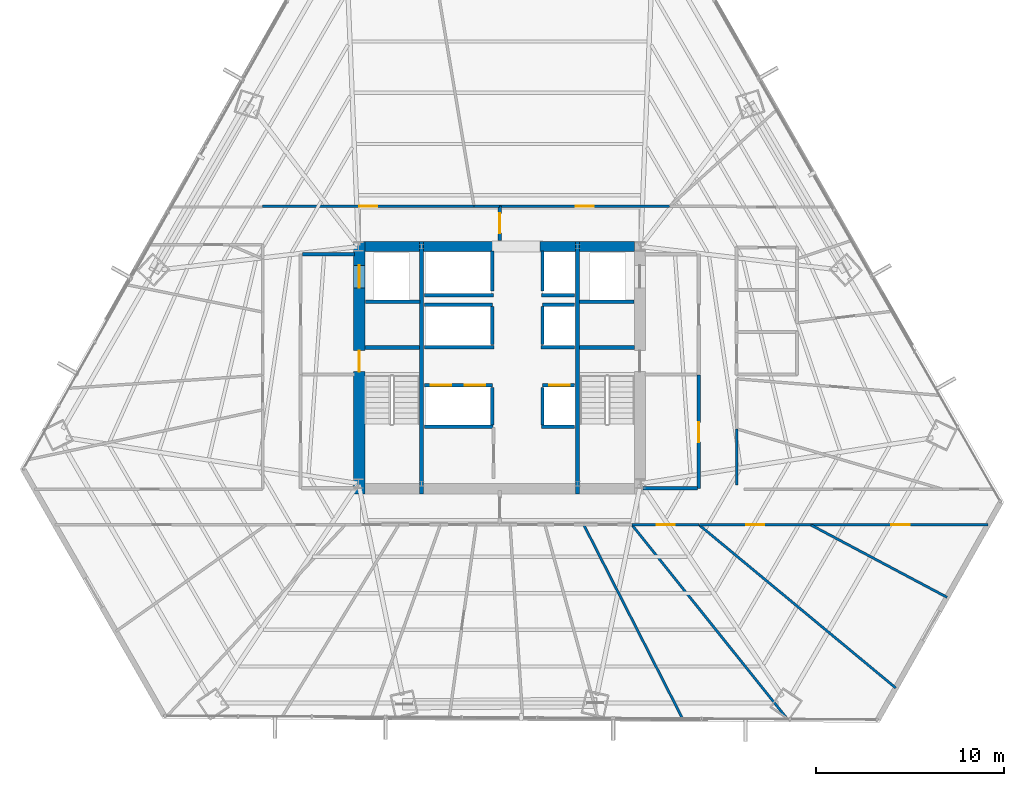
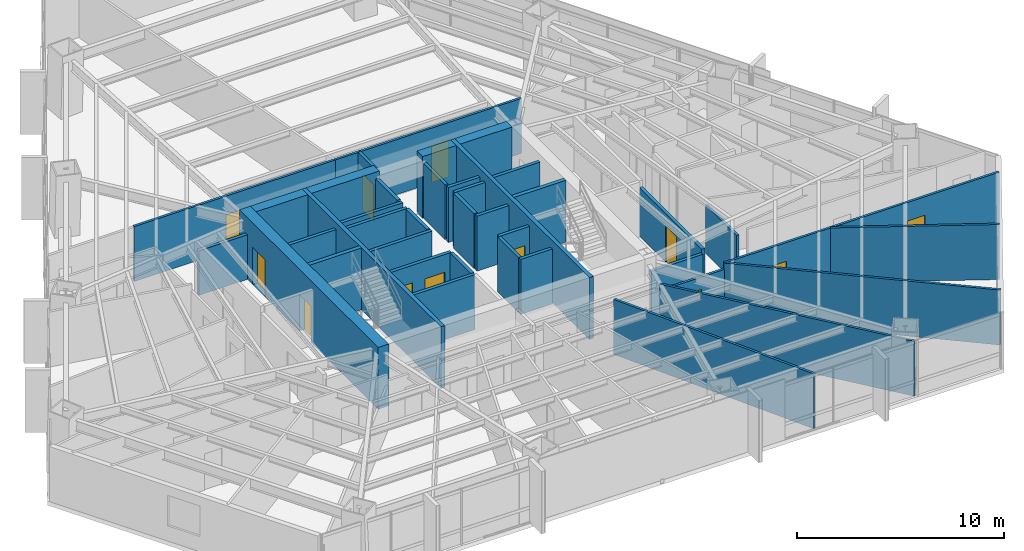
# One storey, part 34 of 39: 42 walls, 12 doors, 12 openings.
"""IFC4 building model written with IfcOpenShell, lengths in metres."""

from ifc_helpers import new_model, si_unit, direction, frame, frame_2d, origin, place, context, subcontext, project, spatial, rectangle, extrude, material, layer, layer_set, type_object, element, fill, save


model = new_model("IFC4")

# Units and contexts
model_context = context("Model", 3, precision=1e-05, world=origin(), true_north=direction((0.0, 1.0)))
body_context = subcontext(model_context, "Body", "Model", "MODEL_VIEW")
ifc_project = project(units=[si_unit("LENGTHUNIT", "METRE"), si_unit("AREAUNIT", "SQUARE_METRE"), si_unit("VOLUMEUNIT", "CUBIC_METRE"), si_unit("PLANEANGLEUNIT", "RADIAN"), si_unit("MASSUNIT", "GRAM", prefix="KILO")], contexts=[model_context])

# Site, building, storey
site_placement = place(None, origin())
site = spatial("IfcSite", under=ifc_project, at=site_placement, CompositionType="ELEMENT")
building_placement = place(site_placement, origin())
building = spatial("IfcBuilding", under=site, at=building_placement, Name="Caelisora Broadcast Tower", CompositionType="ELEMENT")
storey_placement = place(building_placement, frame((0.0, 0.0, 71.39990234375)))
storey = spatial("IfcBuildingStorey", under=building, at=storey_placement, Name="L18", CompositionType="ELEMENT", Elevation=71.39990234375)

# Wall, openings, doors
ifc_material_1 = material(Name="Concrete 65 MPa (AS 3600 S65)", Category="concrete")
ifc_layer_1 = layer(ifc_material_1, 0.60009765625, Name="Concrete 65 MPa (AS 3600 S65)")
ifc_layer_set_1 = layer_set([ifc_layer_1], Name="Concrete 65 MPa (AS 3600 S65)")
wall_type_1 = type_object("IfcWallType", Name="CW1", PredefinedType="SHEAR", material=ifc_layer_set_1)
wall_1_placement = place(storey_placement, frame((30.5400390625, 16.85009765625, 0.0), z_axis=(0.0, 0.0, 1.0), x_axis=(0.0, 1.0, 0.0)))
wall_1 = element("IfcWall", 1, at=wall_1_placement, inside=storey, type_object=wall_type_1, Name="L18 core shear wall CW1", PredefinedType="SHEAR", context=body_context, shape_type="SweptSolid", body=[
    extrude(rectangle(XDim=13.4248046875, YDim=0.60009765625, at=frame_2d((6.71240234375, 0.0))), origin(), (0.0, 0.0, 1.0), 3.650146484375),
])
opening_1_placement = place(wall_1_placement, frame((6.5, 0.0, 0.0)))
opening_1 = element("IfcOpeningElement", 2, at=opening_1_placement, cuts=wall_1, Name="Opening FD04", PredefinedType="OPENING", context=body_context, shape_type="SweptSolid", body=[
    extrude(rectangle(XDim=1.1201171875, YDim=2.14990234375, at=frame_2d((0.56005859375, 1.074951171875))), frame((0.0, 0.31201171875, 0.0), z_axis=(0.0, -1.0, 0.0), x_axis=(1.0, 0.0, 0.0)), (0.0, 0.0, 1.0), 0.6240234375),
])
opening_2_placement = place(wall_1_placement, frame((10.949951171875, 0.0, 0.0)))
opening_2 = element("IfcOpeningElement", 3, at=opening_2_placement, cuts=wall_1, Name="Opening LD04", PredefinedType="OPENING", context=body_context, shape_type="SweptSolid", body=[
    extrude(rectangle(XDim=1.199951171875, YDim=2.199951171875, at=frame_2d((0.60009765625, 1.10009765625))), frame((0.0, 0.31201171875, 0.0), z_axis=(0.0, -1.0, 0.0), x_axis=(1.0, 0.0, 0.0)), (0.0, 0.0, 1.0), 0.6240234375),
])
ifc_material_2 = material(Name="Pressurised Fire-Isolated Stair Door", Category="steel")
door_type_1 = type_object("IfcDoorType", Name="FD04", OperationType="NOTDEFINED", PredefinedType="DOOR", material=ifc_material_2)
door_1_placement = place(opening_1_placement, origin())
door_1 = element("IfcDoor", 4, at=door_1_placement, inside=storey, type_object=door_type_1, Name="L18 door FD04 (L18-DR-ST1)", OperationType="SINGLE_SWING_LEFT", OverallHeight=2.14990234375, OverallWidth=1.1201171875, PredefinedType="DOOR", context=body_context, shape_type="SweptSolid", body=[
    extrude(rectangle(XDim=1.1201171875, YDim=2.14990234375, at=frame_2d((0.56005859375, 1.074951171875))), frame((0.0, 0.02490234375, 0.0), z_axis=(0.0, -1.0, 0.0), x_axis=(1.0, 0.0, 0.0)), (0.0, 0.0, 1.0), 0.050048828125),
])
fill(opening_1, door_1)
ifc_material_3 = material(Name="Emergency Firefighting Lift Sliding Landing Door", Category="steel")
door_type_2 = type_object("IfcDoorType", Name="LD04", OperationType="NOTDEFINED", PredefinedType="DOOR", material=ifc_material_3)
door_2_placement = place(opening_2_placement, origin())
door_2 = element("IfcDoor", 5, at=door_2_placement, inside=storey, type_object=door_type_2, Name="L18 door LD04 (L18-LD-FFL1)", OperationType="SLIDING_TO_LEFT", OverallHeight=2.199951171875, OverallWidth=1.199951171875, PredefinedType="DOOR", context=body_context, shape_type="SweptSolid", body=[
    extrude(rectangle(XDim=1.199951171875, YDim=2.199951171875, at=frame_2d((0.60009765625, 1.10009765625))), frame((0.0, 0.02490234375, 0.0), z_axis=(0.0, -1.0, 0.0), x_axis=(1.0, 0.0, 0.0)), (0.0, 0.0, 1.0), 0.050048828125),
])
fill(opening_2, door_2)

# Walls
ifc_layer_2 = layer(ifc_material_1, 0.550048828125, Name="Concrete 65 MPa (AS 3600 S65)")
ifc_layer_set_2 = layer_set([ifc_layer_2], Name="Concrete 65 MPa (AS 3600 S65)")
wall_type_2 = type_object("IfcWallType", Name="CW4", PredefinedType="SHEAR", material=ifc_layer_set_2)
wall_2_placement = place(storey_placement, frame((30.840087890625, 30.0, 0.0), z_axis=(0.0, 0.0, 1.0), x_axis=(1.0, 0.0, 0.0)))
element("IfcWall", 6, at=wall_2_placement, inside=storey, type_object=wall_type_2, Name="L18 core shear wall CW4", PredefinedType="SHEAR", context=body_context, shape_type="SweptSolid", body=[
    extrude(rectangle(XDim=2.89990234375, YDim=0.550048828125, at=frame_2d((1.449951171875, 0.0))), origin(), (0.0, 0.0, 1.0), 3.650146484375),
])
wall_3_placement = place(storey_placement, frame((33.9599609375, 30.0, 0.0), z_axis=(0.0, 0.0, 1.0), x_axis=(1.0, 0.0, 0.0)))
element("IfcWall", 7, at=wall_3_placement, inside=storey, type_object=wall_type_2, Name="L18 core shear wall CW4", PredefinedType="SHEAR", context=body_context, shape_type="SweptSolid", body=[
    extrude(rectangle(XDim=3.780029296875, YDim=0.550048828125, at=frame_2d((1.89013671875, 0.0))), origin(), (0.0, 0.0, 1.0), 3.650146484375),
])
wall_4_placement = place(storey_placement, frame((40.159912109375, 30.0, 0.0), z_axis=(0.0, 0.0, 1.0), x_axis=(1.0, 0.0, 0.0)))
element("IfcWall", 8, at=wall_4_placement, inside=storey, type_object=wall_type_2, Name="L18 core shear wall CW4", PredefinedType="SHEAR", context=body_context, shape_type="SweptSolid", body=[
    extrude(rectangle(XDim=1.880126953125, YDim=0.550048828125, at=frame_2d((0.93994140625, 0.0))), origin(), (0.0, 0.0, 1.0), 3.650146484375),
])
wall_5_placement = place(storey_placement, frame((42.260009765625, 30.0, 0.0), z_axis=(0.0, 0.0, 1.0), x_axis=(1.0, 0.0, 0.0)))
element("IfcWall", 9, at=wall_5_placement, inside=storey, type_object=wall_type_2, Name="L18 core shear wall CW4", PredefinedType="SHEAR", context=body_context, shape_type="SweptSolid", body=[
    extrude(rectangle(XDim=2.89990234375, YDim=0.550048828125, at=frame_2d((1.449951171875, 0.0))), origin(), (0.0, 0.0, 1.0), 3.650146484375),
])
ifc_material_4 = material(Name="Concrete 50 MPa (AS 3600 S50)", Category="concrete")
ifc_layer_3 = layer(ifc_material_4, 0.219970703125, Name="Concrete 50 MPa (AS 3600 S50)")
ifc_layer_set_3 = layer_set([ifc_layer_3], Name="Concrete 50 MPa (AS 3600 S50)")
wall_type_3 = type_object("IfcWallType", Name="CW7", PredefinedType="SHEAR", material=ifc_layer_set_3)
for number, where, z_axis, x_axis, name in (
    (10, (33.85009765625, 16.85009765625, 0.0), (0.0, 0.0, 1.0), (0.0, 1.0, 0.0), "L18 core shear wall CW7"),
    (11, (42.14990234375, 16.85009765625, 0.0), (0.0, 0.0, 1.0), (0.0, 1.0, 0.0), "L18 core shear wall CW7"),
):
    element("IfcWall", number, at=place(storey_placement, frame(where, z_axis=z_axis, x_axis=x_axis)), inside=storey, type_object=wall_type_3, Name=name, PredefinedType="SHEAR", context=body_context, shape_type="SweptSolid", body=[
        extrude(rectangle(XDim=13.4248046875, YDim=0.219970703125, at=frame_2d((6.71240234375, 0.0))), origin(), (0.0, 0.0, 1.0), 3.650146484375),
    ])
for number, where, z_axis, x_axis, name in (
    (12, (30.840087890625, 24.639892578125, 0.0), (0.0, 0.0, 1.0), (1.0, 0.0, 0.0), "L18 core shear wall CW7"),
    (13, (42.260009765625, 24.639892578125, 0.0), (0.0, 0.0, 1.0), (1.0, 0.0, 0.0), "L18 core shear wall CW7"),
):
    element("IfcWall", number, at=place(storey_placement, frame(where, z_axis=z_axis, x_axis=x_axis)), inside=storey, type_object=wall_type_3, Name=name, PredefinedType="SHEAR", context=body_context, shape_type="SweptSolid", body=[
        extrude(rectangle(XDim=2.89990234375, YDim=0.219970703125, at=frame_2d((1.449951171875, 0.0))), origin(), (0.0, 0.0, 1.0), 3.650146484375),
    ])

# Wall, openings, doors
ifc_material_5 = material(Name="Fire-Rated Gypsum Shaft and Compartment Wall", Category="gypsum")
ifc_layer_4 = layer(ifc_material_5, 0.179931640625, Name="Fire-Rated Gypsum Shaft and Compartment Wall")
ifc_layer_set_4 = layer_set([ifc_layer_4], Name="Fire-Rated Gypsum Shaft and Compartment Wall")
wall_type_4 = type_object("IfcWallType", Name="PW2", PredefinedType="PARTITIONING", material=ifc_layer_set_4)
wall_6_placement = place(storey_placement, frame((34.02001953125, 22.6201171875, 0.0), z_axis=(0.0, 0.0, 1.0), x_axis=(1.0, 0.0, 0.0)))
wall_6 = element("IfcWall", 14, at=wall_6_placement, inside=storey, type_object=wall_type_4, Name="L18 fire compartment wall PW2", PredefinedType="PARTITIONING", context=body_context, shape_type="SweptSolid", body=[
    extrude(rectangle(XDim=3.60009765625, YDim=0.179931640625, at=frame_2d((1.800048828125, 0.0))), origin(), (0.0, 0.0, 1.0), 3.25),
])
opening_3_placement = place(wall_6_placement, frame((0.320068359375, 0.0, 0.0)))
opening_3 = element("IfcOpeningElement", 15, at=opening_3_placement, cuts=wall_6, Name="Opening LD01", PredefinedType="OPENING", context=body_context, shape_type="SweptSolid", body=[
    extrude(rectangle(XDim=1.10009765625, YDim=2.199951171875, at=frame_2d((0.550048828125, 1.10009765625))), frame((0.0, 0.10205078125, 0.0), z_axis=(0.0, -1.0, 0.0), x_axis=(1.0, 0.0, 0.0)), (0.0, 0.0, 1.0), 0.203857421875),
])
opening_4_placement = place(wall_6_placement, frame((2.1201171875, 0.0, 0.0)))
opening_4 = element("IfcOpeningElement", 16, at=opening_4_placement, cuts=wall_6, Name="Opening LD01", PredefinedType="OPENING", context=body_context, shape_type="SweptSolid", body=[
    extrude(rectangle(XDim=1.10009765625, YDim=2.199951171875, at=frame_2d((0.550048828125, 1.10009765625))), frame((0.0, 0.10205078125, 0.0), z_axis=(0.0, -1.0, 0.0), x_axis=(1.0, 0.0, 0.0)), (0.0, 0.0, 1.0), 0.203857421875),
])
ifc_material_6 = material(Name="Stainless Steel Centre-Parting Lift Landing Door", Category="steel")
door_type_3 = type_object("IfcDoorType", Name="LD01", OperationType="NOTDEFINED", PredefinedType="DOOR", material=ifc_material_6)
door_3_placement = place(opening_3_placement, origin())
door_3 = element("IfcDoor", 17, at=door_3_placement, inside=storey, type_object=door_type_3, Name="L18 door LD01 (L18-LD-PLL1)", OperationType="SLIDING_TO_LEFT", OverallHeight=2.199951171875, OverallWidth=1.10009765625, PredefinedType="DOOR", context=body_context, shape_type="SweptSolid", body=[
    extrude(rectangle(XDim=1.10009765625, YDim=2.199951171875, at=frame_2d((0.550048828125, 1.10009765625))), frame((0.0, 0.02490234375, 0.0), z_axis=(0.0, -1.0, 0.0), x_axis=(1.0, 0.0, 0.0)), (0.0, 0.0, 1.0), 0.050048828125),
])
fill(opening_3, door_3)
door_4_placement = place(opening_4_placement, origin())
door_4 = element("IfcDoor", 18, at=door_4_placement, inside=storey, type_object=door_type_3, Name="L18 door LD01 (L18-LD-PLL2)", OperationType="SLIDING_TO_RIGHT", OverallHeight=2.199951171875, OverallWidth=1.10009765625, PredefinedType="DOOR", context=body_context, shape_type="SweptSolid", body=[
    extrude(rectangle(XDim=1.10009765625, YDim=2.199951171875, at=frame_2d((0.550048828125, 1.10009765625))), frame((0.0, 0.02490234375, 0.0), z_axis=(0.0, -1.0, 0.0), x_axis=(1.0, 0.0, 0.0)), (0.0, 0.0, 1.0), 0.050048828125),
])
fill(opening_4, door_4)

# Wall, opening, door
wall_7_placement = place(storey_placement, frame((40.280029296875, 22.6201171875, 0.0), z_axis=(0.0, 0.0, 1.0), x_axis=(1.0, 0.0, 0.0)))
wall_7 = element("IfcWall", 19, at=wall_7_placement, inside=storey, type_object=wall_type_4, Name="L18 fire compartment wall PW2", PredefinedType="PARTITIONING", context=body_context, shape_type="SweptSolid", body=[
    extrude(rectangle(XDim=1.699951171875, YDim=0.179931640625, at=frame_2d((0.85009765625, 0.0))), origin(), (0.0, 0.0, 1.0), 3.25),
])
opening_5_placement = place(wall_7_placement, frame((0.35009765625, 0.0, 0.0)))
opening_5 = element("IfcOpeningElement", 20, at=opening_5_placement, cuts=wall_7, Name="Opening LD01", PredefinedType="OPENING", context=body_context, shape_type="SweptSolid", body=[
    extrude(rectangle(XDim=1.10009765625, YDim=2.199951171875, at=frame_2d((0.550048828125, 1.10009765625))), frame((0.0, 0.10205078125, 0.0), z_axis=(0.0, -1.0, 0.0), x_axis=(1.0, 0.0, 0.0)), (0.0, 0.0, 1.0), 0.203857421875),
])
door_5_placement = place(opening_5_placement, origin())
door_5 = element("IfcDoor", 21, at=door_5_placement, inside=storey, type_object=door_type_3, Name="L18 door LD01 (L18-LD-PLL3)", OperationType="SLIDING_TO_LEFT", OverallHeight=2.199951171875, OverallWidth=1.10009765625, PredefinedType="DOOR", context=body_context, shape_type="SweptSolid", body=[
    extrude(rectangle(XDim=1.10009765625, YDim=2.199951171875, at=frame_2d((0.550048828125, 1.10009765625))), frame((0.0, 0.02490234375, 0.0), z_axis=(0.0, -1.0, 0.0), x_axis=(1.0, 0.0, 0.0)), (0.0, 0.0, 1.0), 0.050048828125),
])
fill(opening_5, door_5)

# Walls
for number, where, z_axis, x_axis, name in (
    (22, (37.6201171875, 20.52001953125, 0.0), (0.0, 0.0, 1.0), (0.0, 1.0, 0.0), "L18 fire compartment wall PW2"),
    (23, (40.280029296875, 20.52001953125, 0.0), (0.0, 0.0, 1.0), (0.0, 1.0, 0.0), "L18 fire compartment wall PW2"),
):
    element("IfcWall", number, at=place(storey_placement, frame(where, z_axis=z_axis, x_axis=x_axis)), inside=storey, type_object=wall_type_4, Name=name, PredefinedType="PARTITIONING", context=body_context, shape_type="SweptSolid", body=[
        extrude(rectangle(XDim=2.0, YDim=0.179931640625, at=frame_2d((1.0, 0.0))), origin(), (0.0, 0.0, 1.0), 3.25),
    ])
wall_8_placement = place(storey_placement, frame((34.02001953125, 26.89990234375, 0.0), z_axis=(0.0, 0.0, 1.0), x_axis=(1.0, 0.0, 0.0)))
element("IfcWall", 24, at=wall_8_placement, inside=storey, type_object=wall_type_4, Name="L18 fire compartment wall PW2", PredefinedType="PARTITIONING", context=body_context, shape_type="SweptSolid", body=[
    extrude(rectangle(XDim=3.60009765625, YDim=0.179931640625, at=frame_2d((1.800048828125, 0.0))), origin(), (0.0, 0.0, 1.0), 3.25),
])
wall_9_placement = place(storey_placement, frame((40.280029296875, 26.89990234375, 0.0), z_axis=(0.0, 0.0, 1.0), x_axis=(1.0, 0.0, 0.0)))
element("IfcWall", 25, at=wall_9_placement, inside=storey, type_object=wall_type_4, Name="L18 fire compartment wall PW2", PredefinedType="PARTITIONING", context=body_context, shape_type="SweptSolid", body=[
    extrude(rectangle(XDim=1.699951171875, YDim=0.179931640625, at=frame_2d((0.85009765625, 0.0))), origin(), (0.0, 0.0, 1.0), 3.25),
])
for number, where, z_axis, x_axis, name in (
    (26, (37.6201171875, 24.800048828125, 0.0), (0.0, 0.0, 1.0), (0.0, 1.0, 0.0), "L18 fire compartment wall PW2"),
    (27, (40.280029296875, 24.800048828125, 0.0), (0.0, 0.0, 1.0), (0.0, 1.0, 0.0), "L18 fire compartment wall PW2"),
):
    element("IfcWall", number, at=place(storey_placement, frame(where, z_axis=z_axis, x_axis=x_axis)), inside=storey, type_object=wall_type_4, Name=name, PredefinedType="PARTITIONING", context=body_context, shape_type="SweptSolid", body=[
        extrude(rectangle(XDim=2.0, YDim=0.179931640625, at=frame_2d((1.0, 0.0))), origin(), (0.0, 0.0, 1.0), 3.25),
    ])
wall_10_placement = place(storey_placement, frame((34.02001953125, 24.639892578125, 0.0), z_axis=(0.0, 0.0, 1.0), x_axis=(1.0, 0.0, 0.0)))
element("IfcWall", 28, at=wall_10_placement, inside=storey, type_object=wall_type_4, Name="L18 fire compartment wall PW2", PredefinedType="PARTITIONING", context=body_context, shape_type="SweptSolid", body=[
    extrude(rectangle(XDim=3.679931640625, YDim=0.179931640625, at=frame_2d((1.83984375, 0.0))), origin(), (0.0, 0.0, 1.0), 3.25),
])
wall_11_placement = place(storey_placement, frame((40.199951171875, 24.639892578125, 0.0), z_axis=(0.0, 0.0, 1.0), x_axis=(1.0, 0.0, 0.0)))
element("IfcWall", 29, at=wall_11_placement, inside=storey, type_object=wall_type_4, Name="L18 fire compartment wall PW2", PredefinedType="PARTITIONING", context=body_context, shape_type="SweptSolid", body=[
    extrude(rectangle(XDim=1.780029296875, YDim=0.179931640625, at=frame_2d((0.89013671875, 0.0))), origin(), (0.0, 0.0, 1.0), 3.25),
])
wall_12_placement = place(storey_placement, frame((34.02001953125, 27.419921875, 0.0), z_axis=(0.0, 0.0, 1.0), x_axis=(1.0, 0.0, 0.0)))
element("IfcWall", 30, at=wall_12_placement, inside=storey, type_object=wall_type_4, Name="L18 fire compartment wall PW2", PredefinedType="PARTITIONING", context=body_context, shape_type="SweptSolid", body=[
    extrude(rectangle(XDim=3.659912109375, YDim=0.179931640625, at=frame_2d((1.830078125, 0.0))), origin(), (0.0, 0.0, 1.0), 3.25),
])
wall_13_placement = place(storey_placement, frame((40.219970703125, 27.419921875, 0.0), z_axis=(0.0, 0.0, 1.0), x_axis=(1.0, 0.0, 0.0)))
element("IfcWall", 31, at=wall_13_placement, inside=storey, type_object=wall_type_4, Name="L18 fire compartment wall PW2", PredefinedType="PARTITIONING", context=body_context, shape_type="SweptSolid", body=[
    extrude(rectangle(XDim=1.760009765625, YDim=0.179931640625, at=frame_2d((0.8798828125, 0.0))), origin(), (0.0, 0.0, 1.0), 3.25),
])
for number, where, z_axis, x_axis, name in (
    (32, (37.6201171875, 27.639892578125, 0.0), (0.0, 0.0, 1.0), (0.0, 1.0, 0.0), "L18 fire compartment wall PW2"),
    (33, (40.280029296875, 27.639892578125, 0.0), (0.0, 0.0, 1.0), (0.0, 1.0, 0.0), "L18 fire compartment wall PW2"),
):
    element("IfcWall", number, at=place(storey_placement, frame(where, z_axis=z_axis, x_axis=x_axis)), inside=storey, type_object=wall_type_4, Name=name, PredefinedType="PARTITIONING", context=body_context, shape_type="SweptSolid", body=[
        extrude(rectangle(XDim=2.110107421875, YDim=0.179931640625, at=frame_2d((1.05517578125, 0.0))), origin(), (0.0, 0.0, 1.0), 3.25),
    ])
wall_14_placement = place(storey_placement, frame((27.52001953125, 29.60009765625, 0.0), z_axis=(0.0, 0.0, 1.0), x_axis=(1.0, 0.0, 0.0)))
element("IfcWall", 34, at=wall_14_placement, inside=storey, type_object=wall_type_4, Name="L18 fire compartment wall PW2", PredefinedType="PARTITIONING", context=body_context, shape_type="SweptSolid", body=[
    extrude(rectangle(XDim=2.760009765625, YDim=0.179931640625, at=frame_2d((1.3798828125, 0.0))), origin(), (0.0, 0.0, 1.0), 2.6328125),
])
for number, where, z_axis, x_axis, name in (
    (35, (30.860107421875, 27.070068359375, 0.0), (0.0, 0.0, 1.0), (1.0, 0.0, 0.0), "L18 fire compartment wall PW2"),
    (36, (42.239990234375, 27.070068359375, 0.0), (0.0, 0.0, 1.0), (1.0, 0.0, 0.0), "L18 fire compartment wall PW2"),
):
    element("IfcWall", number, at=place(storey_placement, frame(where, z_axis=z_axis, x_axis=x_axis)), inside=storey, type_object=wall_type_4, Name=name, PredefinedType="PARTITIONING", context=body_context, shape_type="SweptSolid", body=[
        extrude(rectangle(XDim=2.89990234375, YDim=0.179931640625, at=frame_2d((1.449951171875, 0.0))), origin(), (0.0, 0.0, 1.0), 3.25),
    ])
wall_15_placement = place(storey_placement, frame((34.02001953125, 20.419921875, 0.0), z_axis=(0.0, 0.0, 1.0), x_axis=(1.0, 0.0, 0.0)))
element("IfcWall", 37, at=wall_15_placement, inside=storey, type_object=wall_type_4, Name="L18 fire compartment wall PW2", PredefinedType="PARTITIONING", context=body_context, shape_type="SweptSolid", body=[
    extrude(rectangle(XDim=3.639892578125, YDim=0.179931640625, at=frame_2d((1.81982421875, 0.0))), origin(), (0.0, 0.0, 1.0), 3.25),
])
wall_16_placement = place(storey_placement, frame((40.219970703125, 20.419921875, 0.0), z_axis=(0.0, 0.0, 1.0), x_axis=(1.0, 0.0, 0.0)))
element("IfcWall", 38, at=wall_16_placement, inside=storey, type_object=wall_type_4, Name="L18 fire compartment wall PW2", PredefinedType="PARTITIONING", context=body_context, shape_type="SweptSolid", body=[
    extrude(rectangle(XDim=1.760009765625, YDim=0.179931640625, at=frame_2d((0.8798828125, 0.0))), origin(), (0.0, 0.0, 1.0), 3.25),
])

# Wall, opening, door
wall_17_placement = place(storey_placement, frame((48.580078125, 17.14990234375, 0.0), z_axis=(0.0, 0.0, 1.0), x_axis=(0.0, 1.0, 0.0)))
wall_17 = element("IfcWall", 39, at=wall_17_placement, inside=storey, type_object=wall_type_4, Name="L18 fire compartment wall PW2", PredefinedType="PARTITIONING", context=body_context, shape_type="SweptSolid", body=[
    extrude(rectangle(XDim=6.030029296875, YDim=0.179931640625, at=frame_2d((3.01513671875, 0.0))), origin(), (0.0, 0.0, 1.0), 2.87646484375),
])
opening_6_placement = place(wall_17_placement, frame((2.449951171875, 0.0, 0.0)))
opening_6 = element("IfcOpeningElement", 40, at=opening_6_placement, cuts=wall_17, Name="Opening FD02", PredefinedType="OPENING", context=body_context, shape_type="SweptSolid", body=[
    extrude(rectangle(XDim=1.050048828125, YDim=2.14990234375, at=frame_2d((0.52490234375, 1.074951171875))), frame((0.0, 0.10205078125, 0.0), z_axis=(0.0, -1.0, 0.0), x_axis=(1.0, 0.0, 0.0)), (0.0, 0.0, 1.0), 0.203857421875),
])
ifc_material_7 = material(Name="Single-Leaf Steel Fire Lobby Door", Category="steel")
door_type_4 = type_object("IfcDoorType", Name="FD02", OperationType="NOTDEFINED", PredefinedType="DOOR", material=ifc_material_7)
door_6_placement = place(opening_6_placement, origin())
door_6 = element("IfcDoor", 41, at=door_6_placement, inside=storey, type_object=door_type_4, Name="L18 door FD02 (L18-DR-P14D1)", OperationType="SINGLE_SWING_LEFT", OverallHeight=2.14990234375, OverallWidth=1.050048828125, PredefinedType="DOOR", context=body_context, shape_type="SweptSolid", body=[
    extrude(rectangle(XDim=1.050048828125, YDim=2.14990234375, at=frame_2d((0.52490234375, 1.074951171875))), frame((0.0, 0.02490234375, 0.0), z_axis=(0.0, -1.0, 0.0), x_axis=(1.0, 0.0, 0.0)), (0.0, 0.0, 1.0), 0.050048828125),
])
fill(opening_6, door_6)

# Wall
wall_18_placement = place(storey_placement, frame((45.6201171875, 17.14990234375, 0.0), z_axis=(0.0, 0.0, 1.0), x_axis=(1.0, 0.0, 0.0)))
element("IfcWall", 42, at=wall_18_placement, inside=storey, type_object=wall_type_4, Name="L18 fire compartment wall PW2", PredefinedType="PARTITIONING", context=body_context, shape_type="SweptSolid", body=[
    extrude(rectangle(XDim=2.89990234375, YDim=0.179931640625, at=frame_2d((1.449951171875, 0.0))), origin(), (0.0, 0.0, 1.0), 2.6328125),
])

# Wall, opening, door
wall_19_placement = place(storey_placement, frame((38.0, 30.320068359375, 0.0), z_axis=(0.0, 0.0, 1.0), x_axis=(0.0, 1.0, 0.0)))
wall_19 = element("IfcWall", 43, at=wall_19_placement, inside=storey, type_object=wall_type_4, Name="L18 fire compartment wall PW2", PredefinedType="PARTITIONING", context=body_context, shape_type="SweptSolid", body=[
    extrude(rectangle(XDim=1.824951171875, YDim=0.179931640625, at=frame_2d((0.91259765625, 0.0))), origin(), (0.0, 0.0, 1.0), 3.25),
])
opening_7_placement = place(wall_19_placement, frame((0.387939453125, 0.0, 0.0)))
opening_7 = element("IfcOpeningElement", 44, at=opening_7_placement, cuts=wall_19, Name="Opening FD02", PredefinedType="OPENING", context=body_context, shape_type="SweptSolid", body=[
    extrude(rectangle(XDim=1.050048828125, YDim=2.14990234375, at=frame_2d((0.52490234375, 1.074951171875))), frame((0.0, 0.10205078125, 0.0), z_axis=(0.0, -1.0, 0.0), x_axis=(1.0, 0.0, 0.0)), (0.0, 0.0, 1.0), 0.203857421875),
])
door_7_placement = place(opening_7_placement, origin())
door_7 = element("IfcDoor", 45, at=door_7_placement, inside=storey, type_object=door_type_4, Name="L18 door FD02 (L18-DR-P74D1)", OperationType="SINGLE_SWING_LEFT", OverallHeight=2.14990234375, OverallWidth=1.050048828125, PredefinedType="DOOR", context=body_context, shape_type="SweptSolid", body=[
    extrude(rectangle(XDim=1.050048828125, YDim=2.14990234375, at=frame_2d((0.52490234375, 1.074951171875))), frame((0.0, 0.02490234375, 0.0), z_axis=(0.0, -1.0, 0.0), x_axis=(1.0, 0.0, 0.0)), (0.0, 0.0, 1.0), 0.050048828125),
])
fill(opening_7, door_7)

# Walls
ifc_material_8 = material(Name="Acoustic Steel-Stud Plasterboard Partition", Category="gypsum")
ifc_layer_5 = layer(ifc_material_8, 0.1298828125, Name="Acoustic Steel-Stud Plasterboard Partition")
ifc_layer_set_5 = layer_set([ifc_layer_5], Name="Acoustic Steel-Stud Plasterboard Partition")
wall_type_5 = type_object("IfcWallType", Name="PW3", PredefinedType="PARTITIONING", material=ifc_layer_set_5)
wall_20_placement = place(storey_placement, frame((48.614013671875, 15.197021484375, 0.0), z_axis=(0.0, 0.0, 1.0), x_axis=(0.769830163433, -0.6382487912, 0.0)))
element("IfcWall", 46, at=wall_20_placement, inside=storey, type_object=wall_type_5, Name="L18 internal partition PW3", PredefinedType="PARTITIONING", context=body_context, shape_type="SweptSolid", body=[
    extrude(rectangle(XDim=13.574462890625, YDim=0.1298828125, at=frame_2d((6.787109375, 0.0))), origin(), (0.0, 0.0, 1.0), 3.25),
])
wall_21_placement = place(storey_placement, frame((45.04296875, 15.196044921875, 0.0), z_axis=(0.0, 0.0, 1.0), x_axis=(0.624969571266, -0.780649111312, 0.0)))
element("IfcWall", 47, at=wall_21_placement, inside=storey, type_object=wall_type_5, Name="L18 internal partition PW3", PredefinedType="PARTITIONING", context=body_context, shape_type="SweptSolid", body=[
    extrude(rectangle(XDim=13.2294921875, YDim=0.1298828125, at=frame_2d((6.61474609375, 0.0))), origin(), (0.0, 0.0, 1.0), 3.25),
])
wall_22_placement = place(storey_placement, frame((42.48193359375, 15.196044921875, 0.0), z_axis=(0.0, 0.0, 1.0), x_axis=(0.454044761028, -0.8909788746, 0.0)))
element("IfcWall", 48, at=wall_22_placement, inside=storey, type_object=wall_type_5, Name="L18 internal partition PW3", PredefinedType="PARTITIONING", context=body_context, shape_type="SweptSolid", body=[
    extrude(rectangle(XDim=11.557373046875, YDim=0.1298828125, at=frame_2d((5.77880859375, 0.0))), origin(), (0.0, 0.0, 1.0), 3.25),
])

# Wall, opening, door
wall_23_placement = place(storey_placement, frame((25.405029296875, 32.14990234375, 0.0), z_axis=(0.0, 0.0, 1.0), x_axis=(1.0, 0.0, 0.0)))
wall_23 = element("IfcWall", 49, at=wall_23_placement, inside=storey, type_object=wall_type_5, Name="L18 internal partition PW3", PredefinedType="PARTITIONING", context=body_context, shape_type="SweptSolid", body=[
    extrude(rectangle(XDim=11.22998046875, YDim=0.1298828125, at=frame_2d((5.614990234375, 0.0))), origin(), (0.0, 0.0, 1.0), 3.25),
])
opening_8_placement = place(wall_23_placement, frame((5.135009765625, 0.0, 0.0)))
opening_8 = element("IfcOpeningElement", 50, at=opening_8_placement, cuts=wall_23, Name="Opening D01", PredefinedType="OPENING", context=body_context, shape_type="SweptSolid", body=[
    extrude(rectangle(XDim=0.9599609375, YDim=2.14990234375, at=frame_2d((0.47998046875, 1.074951171875))), frame((0.0, 0.076904296875, 0.0), z_axis=(0.0, -1.0, 0.0), x_axis=(1.0, 0.0, 0.0)), (0.0, 0.0, 1.0), 0.15380859375),
])
ifc_material_9 = material(Name="Solid-Core Timber Acoustic Office Door", Category="wood")
door_type_5 = type_object("IfcDoorType", Name="D01", OperationType="NOTDEFINED", PredefinedType="DOOR", material=ifc_material_9)
door_8_placement = place(opening_8_placement, origin())
door_8 = element("IfcDoor", 51, at=door_8_placement, inside=storey, type_object=door_type_5, Name="L18 door D01 (L18-DR-P38D1)", OperationType="SINGLE_SWING_LEFT", OverallHeight=2.14990234375, OverallWidth=0.9599609375, PredefinedType="DOOR", context=body_context, shape_type="SweptSolid", body=[
    extrude(rectangle(XDim=0.9599609375, YDim=2.14990234375, at=frame_2d((0.47998046875, 1.074951171875))), frame((0.0, 0.02490234375, 0.0), z_axis=(0.0, -1.0, 0.0), x_axis=(1.0, 0.0, 0.0)), (0.0, 0.0, 1.0), 0.050048828125),
])
fill(opening_8, door_8)

wall_24_placement = place(storey_placement, frame((54.554931640625, 15.199951171875, 0.0), z_axis=(0.0, 0.0, 1.0), x_axis=(1.0, 0.0, 0.0)))
wall_24 = element("IfcWall", 52, at=wall_24_placement, inside=storey, type_object=wall_type_5, Name="L18 internal partition PW3", PredefinedType="PARTITIONING", context=body_context, shape_type="SweptSolid", body=[
    extrude(rectangle(XDim=9.40576171875, YDim=0.1298828125, at=frame_2d((4.702880859375, 0.0))), origin(), (0.0, 0.0, 1.0), 3.25),
])
opening_9_placement = place(wall_24_placement, frame((4.277099609375, 0.0, 0.0)))
opening_9 = element("IfcOpeningElement", 53, at=opening_9_placement, cuts=wall_24, Name="Opening D01", PredefinedType="OPENING", context=body_context, shape_type="SweptSolid", body=[
    extrude(rectangle(XDim=0.9599609375, YDim=2.14990234375, at=frame_2d((0.47998046875, 1.074951171875))), frame((0.0, 0.076904296875, 0.0), z_axis=(0.0, -1.0, 0.0), x_axis=(1.0, 0.0, 0.0)), (0.0, 0.0, 1.0), 0.15380859375),
])
door_9_placement = place(opening_9_placement, origin())
door_9 = element("IfcDoor", 54, at=door_9_placement, inside=storey, type_object=door_type_5, Name="L18 door D01 (L18-DR-P47D1)", OperationType="SINGLE_SWING_LEFT", OverallHeight=2.14990234375, OverallWidth=0.9599609375, PredefinedType="DOOR", context=body_context, shape_type="SweptSolid", body=[
    extrude(rectangle(XDim=0.9599609375, YDim=2.14990234375, at=frame_2d((0.47998046875, 1.074951171875))), frame((0.0, 0.02490234375, 0.0), z_axis=(0.0, -1.0, 0.0), x_axis=(1.0, 0.0, 0.0)), (0.0, 0.0, 1.0), 0.050048828125),
])
fill(opening_9, door_9)

wall_25_placement = place(storey_placement, frame((38.0048828125, 32.14990234375, 0.0), z_axis=(0.0, 0.0, 1.0), x_axis=(1.0, 0.0, 0.0)))
wall_25 = element("IfcWall", 55, at=wall_25_placement, inside=storey, type_object=wall_type_5, Name="L18 internal partition PW3", PredefinedType="PARTITIONING", context=body_context, shape_type="SweptSolid", body=[
    extrude(rectangle(XDim=9.0400390625, YDim=0.1298828125, at=frame_2d((4.52001953125, 0.0))), origin(), (0.0, 0.0, 1.0), 3.25),
])
opening_10_placement = place(wall_25_placement, frame((4.0400390625, 0.0, 0.0)))
opening_10 = element("IfcOpeningElement", 56, at=opening_10_placement, cuts=wall_25, Name="Opening D01", PredefinedType="OPENING", context=body_context, shape_type="SweptSolid", body=[
    extrude(rectangle(XDim=0.9599609375, YDim=2.14990234375, at=frame_2d((0.47998046875, 1.074951171875))), frame((0.0, 0.076904296875, 0.0), z_axis=(0.0, -1.0, 0.0), x_axis=(1.0, 0.0, 0.0)), (0.0, 0.0, 1.0), 0.15380859375),
])
door_10_placement = place(opening_10_placement, origin())
door_10 = element("IfcDoor", 57, at=door_10_placement, inside=storey, type_object=door_type_5, Name="L18 door D01 (L18-DR-P48D1)", OperationType="SINGLE_SWING_RIGHT", OverallHeight=2.14990234375, OverallWidth=0.9599609375, PredefinedType="DOOR", context=body_context, shape_type="SweptSolid", body=[
    extrude(rectangle(XDim=0.9599609375, YDim=2.14990234375, at=frame_2d((0.47998046875, 1.074951171875))), frame((0.0, 0.02490234375, 0.0), z_axis=(0.0, -1.0, 0.0), x_axis=(1.0, 0.0, 0.0)), (0.0, 0.0, 1.0), 0.050048828125),
])
fill(opening_10, door_10)

# Wall
wall_26_placement = place(storey_placement, frame((54.553955078125, 15.197998046875, 0.0), z_axis=(0.0, 0.0, 1.0), x_axis=(0.883046637593, -0.469285239311, 0.0)))
element("IfcWall", 58, at=wall_26_placement, inside=storey, type_object=wall_type_5, Name="L18 internal partition PW3", PredefinedType="PARTITIONING", context=body_context, shape_type="SweptSolid", body=[
    extrude(rectangle(XDim=8.191650390625, YDim=0.1298828125, at=frame_2d((4.095703125, 0.0))), origin(), (0.0, 0.0, 1.0), 3.25),
])

# Wall, opening, door
wall_27_placement = place(storey_placement, frame((48.614990234375, 15.199951171875, 0.0), z_axis=(0.0, 0.0, 1.0), x_axis=(1.0, 0.0, 0.0)))
wall_27 = element("IfcWall", 59, at=wall_27_placement, inside=storey, type_object=wall_type_5, Name="L18 internal partition PW3", PredefinedType="PARTITIONING", context=body_context, shape_type="SweptSolid", body=[
    extrude(rectangle(XDim=5.929931640625, YDim=0.1298828125, at=frame_2d((2.96484375, 0.0))), origin(), (0.0, 0.0, 1.0), 3.25),
])
opening_11_placement = place(wall_27_placement, frame((2.485107421875, 0.0, 0.0)))
opening_11 = element("IfcOpeningElement", 60, at=opening_11_placement, cuts=wall_27, Name="Opening D01", PredefinedType="OPENING", context=body_context, shape_type="SweptSolid", body=[
    extrude(rectangle(XDim=0.9599609375, YDim=2.14990234375, at=frame_2d((0.47998046875, 1.074951171875))), frame((0.0, 0.076904296875, 0.0), z_axis=(0.0, -1.0, 0.0), x_axis=(1.0, 0.0, 0.0)), (0.0, 0.0, 1.0), 0.15380859375),
])
door_11_placement = place(opening_11_placement, origin())
door_11 = element("IfcDoor", 61, at=door_11_placement, inside=storey, type_object=door_type_5, Name="L18 door D01 (L18-DR-P52D1)", OperationType="SINGLE_SWING_LEFT", OverallHeight=2.14990234375, OverallWidth=0.9599609375, PredefinedType="DOOR", context=body_context, shape_type="SweptSolid", body=[
    extrude(rectangle(XDim=0.9599609375, YDim=2.14990234375, at=frame_2d((0.47998046875, 1.074951171875))), frame((0.0, 0.02490234375, 0.0), z_axis=(0.0, -1.0, 0.0), x_axis=(1.0, 0.0, 0.0)), (0.0, 0.0, 1.0), 0.050048828125),
])
fill(opening_11, door_11)

wall_28_placement = place(storey_placement, frame((45.044921875, 15.199951171875, 0.0), z_axis=(0.0, 0.0, 1.0), x_axis=(1.0, 0.0, 0.0)))
wall_28 = element("IfcWall", 62, at=wall_28_placement, inside=storey, type_object=wall_type_5, Name="L18 internal partition PW3", PredefinedType="PARTITIONING", context=body_context, shape_type="SweptSolid", body=[
    extrude(rectangle(XDim=3.56005859375, YDim=0.1298828125, at=frame_2d((1.780029296875, 0.0))), origin(), (0.0, 0.0, 1.0), 2.87646484375),
])
opening_12_placement = place(wall_28_placement, frame((1.300048828125, 0.0, 0.0)))
opening_12 = element("IfcOpeningElement", 63, at=opening_12_placement, cuts=wall_28, Name="Opening D01", PredefinedType="OPENING", context=body_context, shape_type="SweptSolid", body=[
    extrude(rectangle(XDim=0.9599609375, YDim=2.14990234375, at=frame_2d((0.47998046875, 1.074951171875))), frame((0.0, 0.076904296875, 0.0), z_axis=(0.0, -1.0, 0.0), x_axis=(1.0, 0.0, 0.0)), (0.0, 0.0, 1.0), 0.15380859375),
])
door_12_placement = place(opening_12_placement, origin())
door_12 = element("IfcDoor", 64, at=door_12_placement, inside=storey, type_object=door_type_5, Name="L18 door D01 (L18-DR-P59D1)", OperationType="SINGLE_SWING_RIGHT", OverallHeight=2.14990234375, OverallWidth=0.9599609375, PredefinedType="DOOR", context=body_context, shape_type="SweptSolid", body=[
    extrude(rectangle(XDim=0.9599609375, YDim=2.14990234375, at=frame_2d((0.47998046875, 1.074951171875))), frame((0.0, 0.02490234375, 0.0), z_axis=(0.0, -1.0, 0.0), x_axis=(1.0, 0.0, 0.0)), (0.0, 0.0, 1.0), 0.050048828125),
])
fill(opening_12, door_12)

# Walls
wall_29_placement = place(storey_placement, frame((50.60009765625, 17.320068359375, 0.0), z_axis=(0.0, 0.0, 1.0), x_axis=(0.0, 1.0, 0.0)))
element("IfcWall", 65, at=wall_29_placement, inside=storey, type_object=wall_type_5, Name="L18 internal partition PW3", PredefinedType="PARTITIONING", context=body_context, shape_type="SweptSolid", body=[
    extrude(rectangle(XDim=2.98486328125, YDim=0.1298828125, at=frame_2d((1.492431640625, 0.0))), origin(), (0.0, 0.0, 1.0), 2.87646484375),
])
wall_30_placement = place(storey_placement, frame((36.64501953125, 32.14990234375, 0.0), z_axis=(0.0, 0.0, 1.0), x_axis=(1.0, 0.0, 0.0)))
element("IfcWall", 66, at=wall_30_placement, inside=storey, type_object=wall_type_5, Name="L18 internal partition PW3", PredefinedType="PARTITIONING", context=body_context, shape_type="SweptSolid", body=[
    extrude(rectangle(XDim=1.35009765625, YDim=0.1298828125, at=frame_2d((0.675048828125, 0.0))), origin(), (0.0, 0.0, 1.0), 3.25),
])

save(model, "model.ifc")
